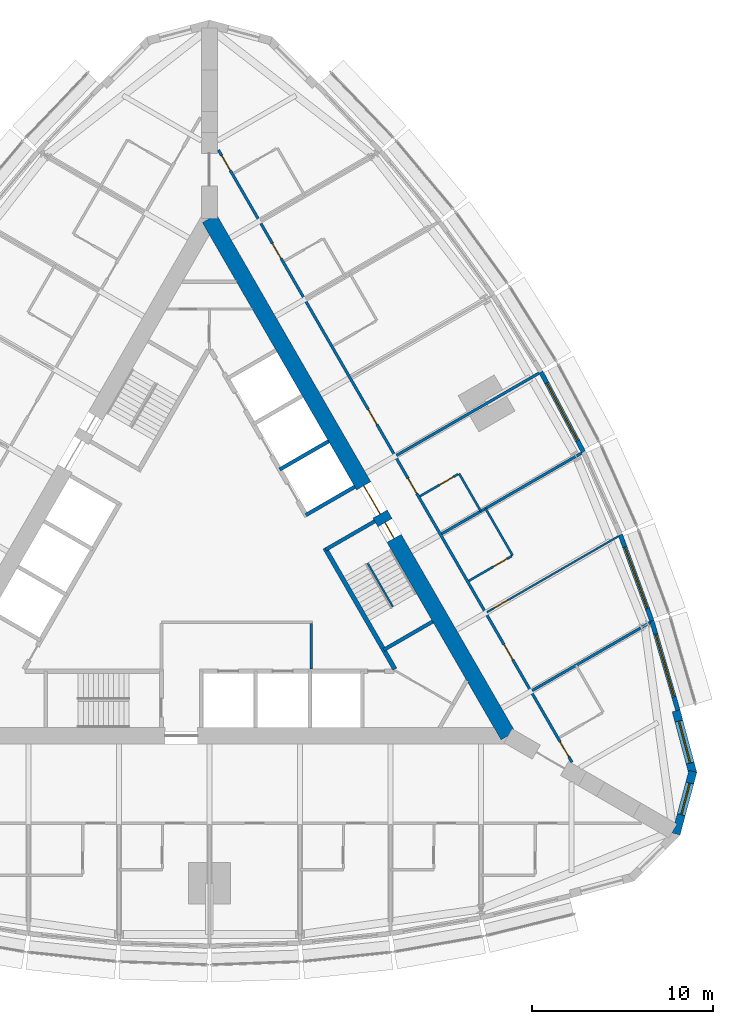
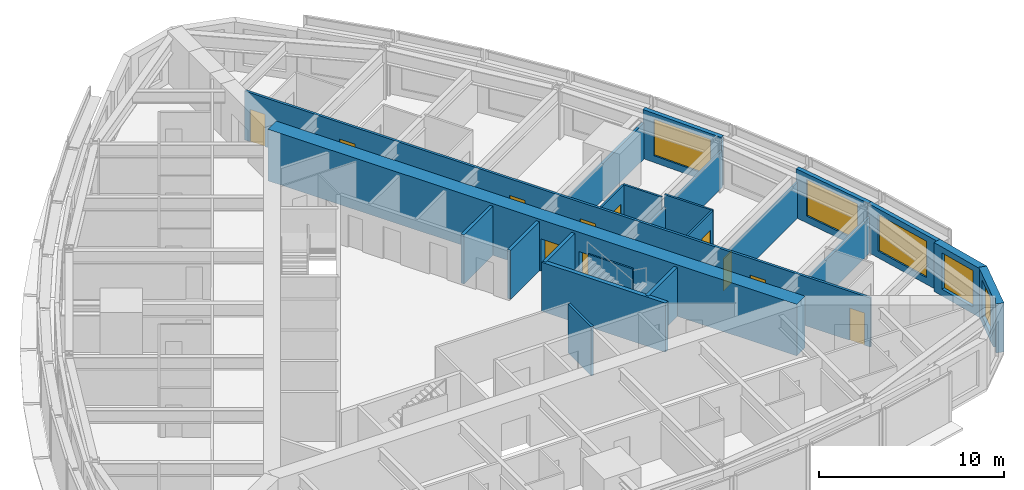
# One storey, part 11 of 14: 22 walls, 11 doors, 5 windows, 16 openings.
"""IFC4 building model written with IfcOpenShell, lengths in metres."""

from ifc_helpers import new_model, si_unit, direction, frame, frame_2d, origin, place, context, subcontext, project, spatial, polyline, rectangle, outline, extrude, material, layer, layer_set, type_object, element, fill, save


model = new_model("IFC4")

# Units and contexts
model_context = context("Model", 3, precision=1e-05, world=origin(), true_north=direction((0.0, 1.0)))
body_context = subcontext(model_context, "Body", "Model", "MODEL_VIEW")
ifc_project = project(units=[si_unit("LENGTHUNIT", "METRE"), si_unit("AREAUNIT", "SQUARE_METRE"), si_unit("VOLUMEUNIT", "CUBIC_METRE"), si_unit("PLANEANGLEUNIT", "RADIAN"), si_unit("MASSUNIT", "GRAM", prefix="KILO")], contexts=[model_context])

# Site, building, storey
site_placement = place(None, origin())
site = spatial("IfcSite", under=ifc_project, at=site_placement, CompositionType="ELEMENT")
building_placement = place(site_placement, origin())
building = spatial("IfcBuilding", under=site, at=building_placement, Name="Trikona Tower", CompositionType="ELEMENT")
storey_placement = place(building_placement, frame((0.0, 0.0, 152.10009765625)))
storey = spatial("IfcBuildingStorey", under=building, at=storey_placement, Name="L40", CompositionType="ELEMENT", Elevation=152.10009765625)

# Wall
ifc_material_1 = material(Name="Metal stud and cement board", Category="gypsum")
ifc_layer_1 = layer(ifc_material_1, 0.1201171875)
ifc_layer_set_1 = layer_set([ifc_layer_1], Name="Bathroom wall 120")
wall_type_1 = type_object("IfcWallType", Name="Bathroom wall 120", PredefinedType="PLUMBINGWALL", material=ifc_layer_set_1)
wall_1_placement = place(storey_placement, frame((16.75341796875, 0.434814453125, 0.0), z_axis=(0.0, 0.0, 1.0), x_axis=(-0.499990139034, 0.866031096941, 0.0)))
element("IfcWall", 1, at=wall_1_placement, inside=storey, type_object=wall_type_1, Name="Bathroom wall 4008.1", PredefinedType="PLUMBINGWALL", context=body_context, shape_type="SweptSolid", body=[
    extrude(rectangle(XDim=3.0, YDim=0.1201171875, at=frame_2d((1.5, 0.0))), origin(), (0.0, 0.0, 1.0), 3.23486328125),
])

# Wall, opening, door
wall_2_placement = place(storey_placement, frame((14.32861328125, -0.965087890625, 0.0), z_axis=(0.0, 0.0, 1.0), x_axis=(0.866035715982, 0.499982138324, 0.0)))
wall_2 = element("IfcWall", 2, at=wall_2_placement, inside=storey, type_object=wall_type_1, Name="Bathroom wall 4008.1", PredefinedType="PLUMBINGWALL", context=body_context, shape_type="SweptSolid", body=[
    extrude(rectangle(XDim=2.73974609375, YDim=0.1201171875, at=frame_2d((1.369873046875, 0.0))), origin(), (0.0, 0.0, 1.0), 3.23486328125),
])
opening_1_placement = place(wall_2_placement, frame((1.550048828125, 0.0, 0.0)))
opening_1 = element("IfcOpeningElement", 3, at=opening_1_placement, cuts=wall_2, Name="Opening D2", PredefinedType="OPENING", context=body_context, shape_type="SweptSolid", body=[
    extrude(rectangle(XDim=0.89990234375, YDim=2.1298828125, at=frame_2d((0.449951171875, 1.06494140625))), frame((0.0, 0.070068359375, 0.0), z_axis=(0.0, -1.0, 0.0), x_axis=(1.0, 0.0, 0.0)), (0.0, 0.0, 1.0), 0.14013671875),
])
ifc_material_2 = material(Name="Steel door frame with solid-core timber leaf", Category="steel")
door_type_1 = type_object("IfcDoorType", Name="Bathroom door 900x2130", OperationType="SLIDING_TO_LEFT", PredefinedType="DOOR", material=ifc_material_2)
door_1_placement = place(opening_1_placement, origin())
door_1 = element("IfcDoor", 4, at=door_1_placement, inside=storey, type_object=door_type_1, Name="Bathroom door 4008.1", OperationType="SLIDING_TO_LEFT", OverallHeight=2.1298828125, OverallWidth=0.89990234375, PredefinedType="DOOR", context=body_context, shape_type="SweptSolid", body=[
    extrude(rectangle(XDim=0.89990234375, YDim=2.1298828125, at=frame_2d((0.449951171875, 1.06494140625))), frame((0.0, 0.02490234375, 0.0), z_axis=(0.0, -1.0, 0.0), x_axis=(1.0, 0.0, 0.0)), (0.0, 0.0, 1.0), 0.050048828125),
])
fill(opening_1, door_1)

# Wall
wall_3_placement = place(storey_placement, frame((14.993408203125, 2.883056640625, 0.0), z_axis=(0.0, 0.0, 1.0), x_axis=(-0.500001309137, 0.866024647952, 0.0)))
element("IfcWall", 5, at=wall_3_placement, inside=storey, type_object=wall_type_1, Name="Bathroom wall 4009", PredefinedType="PLUMBINGWALL", context=body_context, shape_type="SweptSolid", body=[
    extrude(rectangle(XDim=2.39990234375, YDim=0.1201171875, at=frame_2d((1.199951171875, 0.0))), origin(), (0.0, 0.0, 1.0), 3.23486328125),
])

# Wall, opening, door
wall_4_placement = place(storey_placement, frame((11.62841796875, 3.71142578125, 0.0), z_axis=(0.0, 0.0, 1.0), x_axis=(0.866048967903, 0.499959183527, 0.0)))
wall_4 = element("IfcWall", 6, at=wall_4_placement, inside=storey, type_object=wall_type_1, Name="Bathroom wall 4009", PredefinedType="PLUMBINGWALL", context=body_context, shape_type="SweptSolid", body=[
    extrude(rectangle(XDim=2.440185546875, YDim=0.1201171875, at=frame_2d((1.22021484375, 0.0))), origin(), (0.0, 0.0, 1.0), 3.23486328125),
])
opening_2_placement = place(wall_4_placement, frame((1.25, 0.0, 0.0)))
opening_2 = element("IfcOpeningElement", 7, at=opening_2_placement, cuts=wall_4, Name="Opening D2", PredefinedType="OPENING", context=body_context, shape_type="SweptSolid", body=[
    extrude(rectangle(XDim=0.89990234375, YDim=2.1298828125, at=frame_2d((0.449951171875, 1.06494140625))), frame((0.0, 0.070068359375, 0.0), z_axis=(0.0, -1.0, 0.0), x_axis=(1.0, 0.0, 0.0)), (0.0, 0.0, 1.0), 0.14013671875),
])
door_2_placement = place(opening_2_placement, origin())
door_2 = element("IfcDoor", 8, at=door_2_placement, inside=storey, type_object=door_type_1, Name="Bathroom door 4009", OperationType="SLIDING_TO_LEFT", OverallHeight=2.1298828125, OverallWidth=0.89990234375, PredefinedType="DOOR", context=body_context, shape_type="SweptSolid", body=[
    extrude(rectangle(XDim=0.89990234375, YDim=2.1298828125, at=frame_2d((0.449951171875, 1.06494140625))), frame((0.0, 0.02490234375, 0.0), z_axis=(0.0, -1.0, 0.0), x_axis=(1.0, 0.0, 0.0)), (0.0, 0.0, 1.0), 0.050048828125),
])
fill(opening_2, door_2)

# Wall, opening, window
ifc_material_3 = material(Name="Brick-faced precast concrete", Category="masonry")
ifc_layer_2 = layer(ifc_material_3, 0.449951171875)
ifc_layer_set_2 = layer_set([ifc_layer_2], Name="Brick-faced corner wall 450")
wall_type_2 = type_object("IfcWallType", Name="Brick-faced corner wall 450", PredefinedType="SOLIDWALL", material=ifc_layer_set_2)
wall_5_placement = place(storey_placement, frame((25.78271484375, -14.952880859375, 0.0), z_axis=(0.0, 0.0, 1.0), x_axis=(0.258823421857, 0.965924653531, 0.0)))
wall_5 = element("IfcWall", 9, at=wall_5_placement, inside=storey, type_object=wall_type_2, Name="External wall L40-10", PredefinedType="SOLIDWALL", context=body_context, shape_type="SweptSolid", body=[
    extrude(outline(polyline([(3.58642578125, 0.22509765625), (0.58642578125, 0.22509765625), (0.551025390625, 0.09326171875), (0.0595703125, 0.22509765625), (0.0, 0.22509765625), (0.0, -0.22509765625), (3.58642578125, -0.22509765625), (3.58642578125, 0.22509765625)])), origin(), (0.0, 0.0, 1.0), 3.23486328125),
])
opening_3_placement = place(wall_5_placement, frame((1.111328125, 0.0, 0.449951171875)))
opening_3 = element("IfcOpeningElement", 10, at=opening_3_placement, cuts=wall_5, Name="Opening W1824", PredefinedType="OPENING", context=body_context, shape_type="SweptSolid", body=[
    extrude(rectangle(XDim=1.800048828125, YDim=2.39990234375, at=frame_2d((0.89990234375, 1.199951171875))), frame((0.0, 0.23486328125, 0.0), z_axis=(0.0, -1.0, 0.0), x_axis=(1.0, 0.0, 0.0)), (0.0, 0.0, 1.0), 0.469970703125),
])
ifc_material_4 = material(Name="Aluminium-framed double glazing", Category="aluminium")
window_type_1 = type_object("IfcWindowType", Name="Window 1800x2400", PartitioningType="SINGLE_PANEL", PredefinedType="WINDOW", material=ifc_material_4)
window_1_placement = place(opening_3_placement, origin())
window_1 = element("IfcWindow", 11, at=window_1_placement, inside=storey, type_object=window_type_1, Name="Window 4007", OverallHeight=2.39990234375, OverallWidth=1.800048828125, PartitioningType="SINGLE_PANEL", PredefinedType="WINDOW", context=body_context, shape_type="SweptSolid", body=[
    extrude(rectangle(XDim=1.800048828125, YDim=2.39990234375, at=frame_2d((0.89990234375, 1.199951171875))), frame((0.0, 0.030029296875, 0.0), z_axis=(0.0, -1.0, 0.0), x_axis=(1.0, 0.0, 0.0)), (0.0, 0.0, 1.0), 0.06005859375),
])
fill(opening_3, window_1)

wall_6_placement = place(storey_placement, frame((26.7109375, -11.605224609375, 0.0), z_axis=(0.0, 0.0, 1.0), x_axis=(-0.258823421857, 0.965924653531, 0.0)))
wall_6 = element("IfcWall", 12, at=wall_6_placement, inside=storey, type_object=wall_type_2, Name="External wall L40-11", PredefinedType="SOLIDWALL", context=body_context, shape_type="SweptSolid", body=[
    extrude(rectangle(XDim=3.58642578125, YDim=0.449951171875, at=frame_2d((1.793212890625, 0.0))), origin(), (0.0, 0.0, 1.0), 3.23486328125),
])
opening_4_placement = place(wall_6_placement, frame((0.593017578125, 0.0, 0.449951171875)))
opening_4 = element("IfcOpeningElement", 13, at=opening_4_placement, cuts=wall_6, Name="Opening W2424", PredefinedType="OPENING", context=body_context, shape_type="SweptSolid", body=[
    extrude(rectangle(XDim=2.39990234375, YDim=2.39990234375, at=frame_2d((1.199951171875, 1.199951171875))), frame((0.0, 0.23486328125, 0.0), z_axis=(0.0, -1.0, 0.0), x_axis=(1.0, 0.0, 0.0)), (0.0, 0.0, 1.0), 0.469970703125),
])
ifc_material_5 = material(Name="Aluminium-framed double glazing", Category="aluminium")
window_type_2 = type_object("IfcWindowType", Name="Window 2400x2400", PartitioningType="SINGLE_PANEL", PredefinedType="WINDOW", material=ifc_material_5)
window_2_placement = place(opening_4_placement, origin())
window_2 = element("IfcWindow", 14, at=window_2_placement, inside=storey, type_object=window_type_2, Name="Window 4007", OverallHeight=2.39990234375, OverallWidth=2.39990234375, PartitioningType="SINGLE_PANEL", PredefinedType="WINDOW", context=body_context, shape_type="SweptSolid", body=[
    extrude(rectangle(XDim=2.39990234375, YDim=2.39990234375, at=frame_2d((1.199951171875, 1.199951171875))), frame((0.0, 0.030029296875, 0.0), z_axis=(0.0, -1.0, 0.0), x_axis=(1.0, 0.0, 0.0)), (0.0, 0.0, 1.0), 0.06005859375),
])
fill(opening_4, window_2)

# Wall, openings, doors
ifc_material_6 = material(Name="Concrete f'c 10000 psi", Category="concrete")
ifc_layer_3 = layer(ifc_material_6, 0.89990234375)
ifc_layer_set_3 = layer_set([ifc_layer_3], Name="Core wall 900")
wall_type_3 = type_object("IfcWallType", Name="Core wall 900", PredefinedType="SHEAR", material=ifc_layer_set_3)
wall_7_placement = place(storey_placement, frame((16.5, -9.5263671875, 0.0), z_axis=(0.0, 0.0, 1.0), x_axis=(-0.499999749417, 0.866025548458, 0.0)))
wall_7 = element("IfcWall", 15, at=wall_7_placement, inside=storey, type_object=wall_type_3, Name="Core wall B", PredefinedType="SHEAR", context=body_context, shape_type="SweptSolid", body=[
    extrude(rectangle(XDim=33.0, YDim=0.89990234375, at=frame_2d((16.5, 0.0))), origin(), (0.0, 0.0, 1.0), 3.39990234375),
])
opening_5_placement = place(wall_7_placement, frame((14.14990234375, 0.0, 0.0)))
opening_5 = element("IfcOpeningElement", 16, at=opening_5_placement, cuts=wall_7, Name="Opening D6", PredefinedType="OPENING", context=body_context, shape_type="SweptSolid", body=[
    extrude(rectangle(XDim=1.800048828125, YDim=2.1298828125, at=frame_2d((0.89990234375, 1.06494140625))), frame((0.0, 0.4599609375, 0.0), z_axis=(0.0, -1.0, 0.0), x_axis=(1.0, 0.0, 0.0)), (0.0, 0.0, 1.0), 0.919921875),
])
opening_6_placement = place(wall_7_placement, frame((12.60009765625, 0.0, 0.0)))
opening_6 = element("IfcOpeningElement", 17, at=opening_6_placement, cuts=wall_7, Name="Opening D5", PredefinedType="OPENING", context=body_context, shape_type="SweptSolid", body=[
    extrude(rectangle(XDim=1.0, YDim=2.1298828125, at=frame_2d((0.5, 1.06494140625))), frame((0.0, 0.4599609375, 0.0), z_axis=(0.0, -1.0, 0.0), x_axis=(1.0, 0.0, 0.0)), (0.0, 0.0, 1.0), 0.919921875),
])
ifc_material_7 = material(Name="Hollow metal door and frame", Category="steel")
door_type_2 = type_object("IfcDoorType", Name="Lobby door pair 1800x2130", OperationType="DOUBLE_DOOR_SINGLE_SWING", PredefinedType="DOOR", material=ifc_material_7)
door_3_placement = place(opening_5_placement, origin())
door_3 = element("IfcDoor", 18, at=door_3_placement, inside=storey, type_object=door_type_2, Name="Lift lobby door B", OperationType="DOUBLE_DOOR_SINGLE_SWING", OverallHeight=2.1298828125, OverallWidth=1.800048828125, PredefinedType="DOOR", context=body_context, shape_type="SweptSolid", body=[
    extrude(rectangle(XDim=1.800048828125, YDim=2.1298828125, at=frame_2d((0.89990234375, 1.06494140625))), frame((0.0, 0.02490234375, 0.0), z_axis=(0.0, -1.0, 0.0), x_axis=(1.0, 0.0, 0.0)), (0.0, 0.0, 1.0), 0.050048828125),
])
fill(opening_5, door_3)
ifc_material_8 = material(Name="Hollow metal door and frame", Category="steel")
door_type_3 = type_object("IfcDoorType", Name="Stair door 1000x2130", OperationType="SINGLE_SWING_LEFT", PredefinedType="DOOR", material=ifc_material_8)
door_4_placement = place(opening_6_placement, origin())
door_4 = element("IfcDoor", 19, at=door_4_placement, inside=storey, type_object=door_type_3, Name="Stair B door", OperationType="SINGLE_SWING_RIGHT", OverallHeight=2.1298828125, OverallWidth=1.0, PredefinedType="DOOR", context=body_context, shape_type="SweptSolid", body=[
    extrude(rectangle(XDim=1.0, YDim=2.1298828125, at=frame_2d((0.5, 1.06494140625))), frame((0.0, 0.02490234375, 0.0), z_axis=(0.0, -1.0, 0.0), x_axis=(1.0, 0.0, 0.0)), (0.0, 0.0, 1.0), 0.050048828125),
])
fill(opening_6, door_4)

ifc_material_9 = material(Name="Metal stud and gypsum board, 1-hour", Category="gypsum")
ifc_layer_4 = layer(ifc_material_9, 0.14990234375)
ifc_layer_set_4 = layer_set([ifc_layer_4], Name="Corridor wall 150")
wall_type_4 = type_object("IfcWallType", Name="Corridor wall 150", PredefinedType="PARTITIONING", material=ifc_layer_set_4)
wall_8_placement = place(storey_placement, frame((20.027099609375, -10.9853515625, 0.0), z_axis=(0.0, 0.0, 1.0), x_axis=(-0.500001677587, 0.866024435227, 0.0)))
wall_8 = element("IfcWall", 20, at=wall_8_placement, inside=storey, type_object=wall_type_4, Name="Corridor wall L40-2", PredefinedType="PARTITIONING", context=body_context, shape_type="SweptSolid", body=[
    extrude(rectangle(XDim=39.053955078125, YDim=0.14990234375, at=frame_2d((19.52685546875, 0.0))), origin(), (0.0, 0.0, 1.0), 3.23486328125),
])
opening_7_placement = place(wall_8_placement, frame((0.35205078125, 0.0, 0.0)))
opening_7 = element("IfcOpeningElement", 21, at=opening_7_placement, cuts=wall_8, Name="Opening D1", PredefinedType="OPENING", context=body_context, shape_type="SweptSolid", body=[
    extrude(rectangle(XDim=0.949951171875, YDim=2.1298828125, at=frame_2d((0.47509765625, 1.06494140625))), frame((0.0, 0.0849609375, 0.0), z_axis=(0.0, -1.0, 0.0), x_axis=(1.0, 0.0, 0.0)), (0.0, 0.0, 1.0), 0.169921875),
])
opening_8_placement = place(wall_8_placement, frame((6.552001953125, 0.0, 0.0)))
opening_8 = element("IfcOpeningElement", 22, at=opening_8_placement, cuts=wall_8, Name="Opening D1", PredefinedType="OPENING", context=body_context, shape_type="SweptSolid", body=[
    extrude(rectangle(XDim=0.949951171875, YDim=2.1298828125, at=frame_2d((0.47509765625, 1.06494140625))), frame((0.0, 0.0849609375, 0.0), z_axis=(0.0, -1.0, 0.0), x_axis=(1.0, 0.0, 0.0)), (0.0, 0.0, 1.0), 0.169921875),
])
opening_9_placement = place(wall_8_placement, frame((17.152099609375, 0.0, 0.0)))
opening_9 = element("IfcOpeningElement", 23, at=opening_9_placement, cuts=wall_8, Name="Opening D1", PredefinedType="OPENING", context=body_context, shape_type="SweptSolid", body=[
    extrude(rectangle(XDim=0.949951171875, YDim=2.1298828125, at=frame_2d((0.47509765625, 1.06494140625))), frame((0.0, 0.0849609375, 0.0), z_axis=(0.0, -1.0, 0.0), x_axis=(1.0, 0.0, 0.0)), (0.0, 0.0, 1.0), 0.169921875),
])
opening_10_placement = place(wall_8_placement, frame((21.552001953125, 0.0, 0.0)))
opening_10 = element("IfcOpeningElement", 24, at=opening_10_placement, cuts=wall_8, Name="Opening D1", PredefinedType="OPENING", context=body_context, shape_type="SweptSolid", body=[
    extrude(rectangle(XDim=0.949951171875, YDim=2.1298828125, at=frame_2d((0.47509765625, 1.06494140625))), frame((0.0, 0.0849609375, 0.0), z_axis=(0.0, -1.0, 0.0), x_axis=(1.0, 0.0, 0.0)), (0.0, 0.0, 1.0), 0.169921875),
])
opening_11_placement = place(wall_8_placement, frame((32.152099609375, 0.0, 0.0)))
opening_11 = element("IfcOpeningElement", 25, at=opening_11_placement, cuts=wall_8, Name="Opening D1", PredefinedType="OPENING", context=body_context, shape_type="SweptSolid", body=[
    extrude(rectangle(XDim=0.949951171875, YDim=2.1298828125, at=frame_2d((0.47509765625, 1.06494140625))), frame((0.0, 0.0849609375, 0.0), z_axis=(0.0, -1.0, 0.0), x_axis=(1.0, 0.0, 0.0)), (0.0, 0.0, 1.0), 0.169921875),
])
opening_12_placement = place(wall_8_placement, frame((37.751953125, 0.0, 0.0)))
opening_12 = element("IfcOpeningElement", 26, at=opening_12_placement, cuts=wall_8, Name="Opening D1", PredefinedType="OPENING", context=body_context, shape_type="SweptSolid", body=[
    extrude(rectangle(XDim=0.949951171875, YDim=2.1298828125, at=frame_2d((0.47509765625, 1.06494140625))), frame((0.0, 0.0849609375, 0.0), z_axis=(0.0, -1.0, 0.0), x_axis=(1.0, 0.0, 0.0)), (0.0, 0.0, 1.0), 0.169921875),
])
ifc_material_10 = material(Name="Steel door frame with solid-core timber leaf", Category="steel")
door_type_4 = type_object("IfcDoorType", Name="Guest room door 950x2130", OperationType="SINGLE_SWING_LEFT", PredefinedType="DOOR", material=ifc_material_10)
door_5_placement = place(opening_7_placement, origin())
door_5 = element("IfcDoor", 27, at=door_5_placement, inside=storey, type_object=door_type_4, Name="Room door 4007", OperationType="SINGLE_SWING_LEFT", OverallHeight=2.1298828125, OverallWidth=0.949951171875, PredefinedType="DOOR", context=body_context, shape_type="SweptSolid", body=[
    extrude(rectangle(XDim=0.949951171875, YDim=2.1298828125, at=frame_2d((0.47509765625, 1.06494140625))), frame((0.0, 0.02490234375, 0.0), z_axis=(0.0, -1.0, 0.0), x_axis=(1.0, 0.0, 0.0)), (0.0, 0.0, 1.0), 0.050048828125),
])
fill(opening_7, door_5)
door_6_placement = place(opening_8_placement, origin())
door_6 = element("IfcDoor", 28, at=door_6_placement, inside=storey, type_object=door_type_4, Name="Room door 4008", OperationType="SINGLE_SWING_RIGHT", OverallHeight=2.1298828125, OverallWidth=0.949951171875, PredefinedType="DOOR", context=body_context, shape_type="SweptSolid", body=[
    extrude(rectangle(XDim=0.949951171875, YDim=2.1298828125, at=frame_2d((0.47509765625, 1.06494140625))), frame((0.0, 0.02490234375, 0.0), z_axis=(0.0, -1.0, 0.0), x_axis=(1.0, 0.0, 0.0)), (0.0, 0.0, 1.0), 0.050048828125),
])
fill(opening_8, door_6)
door_7_placement = place(opening_9_placement, origin())
door_7 = element("IfcDoor", 29, at=door_7_placement, inside=storey, type_object=door_type_4, Name="Room door 4009", OperationType="SINGLE_SWING_LEFT", OverallHeight=2.1298828125, OverallWidth=0.949951171875, PredefinedType="DOOR", context=body_context, shape_type="SweptSolid", body=[
    extrude(rectangle(XDim=0.949951171875, YDim=2.1298828125, at=frame_2d((0.47509765625, 1.06494140625))), frame((0.0, 0.02490234375, 0.0), z_axis=(0.0, -1.0, 0.0), x_axis=(1.0, 0.0, 0.0)), (0.0, 0.0, 1.0), 0.050048828125),
])
fill(opening_9, door_7)
door_8_placement = place(opening_10_placement, origin())
door_8 = element("IfcDoor", 30, at=door_8_placement, inside=storey, type_object=door_type_4, Name="Room door 4010", OperationType="SINGLE_SWING_RIGHT", OverallHeight=2.1298828125, OverallWidth=0.949951171875, PredefinedType="DOOR", context=body_context, shape_type="SweptSolid", body=[
    extrude(rectangle(XDim=0.949951171875, YDim=2.1298828125, at=frame_2d((0.47509765625, 1.06494140625))), frame((0.0, 0.02490234375, 0.0), z_axis=(0.0, -1.0, 0.0), x_axis=(1.0, 0.0, 0.0)), (0.0, 0.0, 1.0), 0.050048828125),
])
fill(opening_10, door_8)
door_9_placement = place(opening_11_placement, origin())
door_9 = element("IfcDoor", 31, at=door_9_placement, inside=storey, type_object=door_type_4, Name="Room door 4011", OperationType="SINGLE_SWING_LEFT", OverallHeight=2.1298828125, OverallWidth=0.949951171875, PredefinedType="DOOR", context=body_context, shape_type="SweptSolid", body=[
    extrude(rectangle(XDim=0.949951171875, YDim=2.1298828125, at=frame_2d((0.47509765625, 1.06494140625))), frame((0.0, 0.02490234375, 0.0), z_axis=(0.0, -1.0, 0.0), x_axis=(1.0, 0.0, 0.0)), (0.0, 0.0, 1.0), 0.050048828125),
])
fill(opening_11, door_9)
door_10_placement = place(opening_12_placement, origin())
door_10 = element("IfcDoor", 32, at=door_10_placement, inside=storey, type_object=door_type_4, Name="Room door 4012", OperationType="SINGLE_SWING_RIGHT", OverallHeight=2.1298828125, OverallWidth=0.949951171875, PredefinedType="DOOR", context=body_context, shape_type="SweptSolid", body=[
    extrude(rectangle(XDim=0.949951171875, YDim=2.1298828125, at=frame_2d((0.47509765625, 1.06494140625))), frame((0.0, 0.02490234375, 0.0), z_axis=(0.0, -1.0, 0.0), x_axis=(1.0, 0.0, 0.0)), (0.0, 0.0, 1.0), 0.050048828125),
])
fill(opening_12, door_10)

# Wall
ifc_material_11 = material(Name="Concrete f'c 8000 psi", Category="concrete")
ifc_layer_5 = layer(ifc_material_11, 0.25)
ifc_layer_set_5 = layer_set([ifc_layer_5], Name="Hub wall 250")
wall_type_5 = type_object("IfcWallType", Name="Hub wall 250", PredefinedType="SOLIDWALL", material=ifc_layer_set_5)
wall_9_placement = place(storey_placement, frame((10.245361328125, -5.843017578125, 0.0), z_axis=(0.0, 0.0, 1.0), x_axis=(-0.499993009313, 0.866029439822, 0.0)))
element("IfcWall", 33, at=wall_9_placement, inside=storey, type_object=wall_type_5, Name="Lift lobby wall B1", PredefinedType="SOLIDWALL", context=body_context, shape_type="SweptSolid", body=[
    extrude(rectangle(XDim=7.73291015625, YDim=0.25, at=frame_2d((3.866455078125, 0.0))), origin(), (0.0, 0.0, 1.0), 3.23486328125),
])

# Wall, opening, window
ifc_material_12 = material(Name="Insulated precast concrete spandrel panel", Category="concrete")
ifc_layer_6 = layer(ifc_material_12, 0.25)
ifc_layer_set_6 = layer_set([ifc_layer_6], Name="Inner skin wall 250")
wall_type_6 = type_object("IfcWallType", Name="Inner skin wall 250", PredefinedType="STANDARD", material=ifc_layer_set_6)
wall_10_placement = place(storey_placement, frame((25.8798828125, -8.117919921875, 0.0), z_axis=(0.0, 0.0, 1.0), x_axis=(-0.279528287117, 0.960137457191, 0.0)))
wall_10 = element("IfcWall", 34, at=wall_10_placement, inside=storey, type_object=wall_type_6, Name="External wall L40-12", PredefinedType="STANDARD", context=body_context, shape_type="SweptSolid", body=[
    extrude(rectangle(XDim=5.14794921875, YDim=0.25, at=frame_2d((2.573974609375, 0.0))), origin(), (0.0, 0.0, 1.0), 3.23486328125),
])
opening_13_placement = place(wall_10_placement, frame((0.77392578125, 0.0, 0.449951171875)))
opening_13 = element("IfcOpeningElement", 35, at=opening_13_placement, cuts=wall_10, Name="Opening W3624", PredefinedType="OPENING", context=body_context, shape_type="SweptSolid", body=[
    extrude(rectangle(XDim=3.60009765625, YDim=2.39990234375, at=frame_2d((1.800048828125, 1.199951171875))), frame((0.0, 0.135009765625, 0.0), z_axis=(0.0, -1.0, 0.0), x_axis=(1.0, 0.0, 0.0)), (0.0, 0.0, 1.0), 0.27001953125),
])
ifc_material_13 = material(Name="Aluminium-framed double glazing", Category="aluminium")
window_type_3 = type_object("IfcWindowType", Name="Window 3600x2400", PartitioningType="SINGLE_PANEL", PredefinedType="WINDOW", material=ifc_material_13)
window_3_placement = place(opening_13_placement, origin())
window_3 = element("IfcWindow", 36, at=window_3_placement, inside=storey, type_object=window_type_3, Name="Window 4007", OverallHeight=2.39990234375, OverallWidth=3.60009765625, PartitioningType="SINGLE_PANEL", PredefinedType="WINDOW", context=body_context, shape_type="SweptSolid", body=[
    extrude(rectangle(XDim=3.60009765625, YDim=2.39990234375, at=frame_2d((1.800048828125, 1.199951171875))), frame((0.0, 0.030029296875, 0.0), z_axis=(0.0, -1.0, 0.0), x_axis=(1.0, 0.0, 0.0)), (0.0, 0.0, 1.0), 0.06005859375),
])
fill(opening_13, window_3)

wall_11_placement = place(storey_placement, frame((24.443603515625, -3.18310546875, 0.0), z_axis=(0.0, 0.0, 1.0), x_axis=(-0.343225593282, 0.939252996863, 0.0)))
wall_11 = element("IfcWall", 37, at=wall_11_placement, inside=storey, type_object=wall_type_6, Name="External wall L40-13", PredefinedType="STANDARD", context=body_context, shape_type="SweptSolid", body=[
    extrude(rectangle(XDim=5.075927734375, YDim=0.25, at=frame_2d((2.5380859375, 0.0))), origin(), (0.0, 0.0, 1.0), 3.23486328125),
])
opening_14_placement = place(wall_11_placement, frame((0.738037109375, 0.0, 0.449951171875)))
opening_14 = element("IfcOpeningElement", 38, at=opening_14_placement, cuts=wall_11, Name="Opening W3624", PredefinedType="OPENING", context=body_context, shape_type="SweptSolid", body=[
    extrude(rectangle(XDim=3.60009765625, YDim=2.39990234375, at=frame_2d((1.800048828125, 1.199951171875))), frame((0.0, 0.135009765625, 0.0), z_axis=(0.0, -1.0, 0.0), x_axis=(1.0, 0.0, 0.0)), (0.0, 0.0, 1.0), 0.27001953125),
])
window_4_placement = place(opening_14_placement, origin())
window_4 = element("IfcWindow", 39, at=window_4_placement, inside=storey, type_object=window_type_3, Name="Window 4008", OverallHeight=2.39990234375, OverallWidth=3.60009765625, PartitioningType="SINGLE_PANEL", PredefinedType="WINDOW", context=body_context, shape_type="SweptSolid", body=[
    extrude(rectangle(XDim=3.60009765625, YDim=2.39990234375, at=frame_2d((1.800048828125, 1.199951171875))), frame((0.0, 0.030029296875, 0.0), z_axis=(0.0, -1.0, 0.0), x_axis=(1.0, 0.0, 0.0)), (0.0, 0.0, 1.0), 0.06005859375),
])
fill(opening_14, window_4)

wall_12_placement = place(storey_placement, frame((20.662841796875, 6.161376953125, 0.0), z_axis=(0.0, 0.0, 1.0), x_axis=(-0.469404966864, 0.882982999317, 0.0)))
wall_12 = element("IfcWall", 40, at=wall_12_placement, inside=storey, type_object=wall_type_6, Name="External wall L40-15", PredefinedType="STANDARD", context=body_context, shape_type="SweptSolid", body=[
    extrude(rectangle(XDim=5.0029296875, YDim=0.25, at=frame_2d((2.50146484375, 0.0))), origin(), (0.0, 0.0, 1.0), 3.23486328125),
])
opening_15_placement = place(wall_12_placement, frame((0.701416015625, 0.0, 0.449951171875)))
opening_15 = element("IfcOpeningElement", 41, at=opening_15_placement, cuts=wall_12, Name="Opening W3624", PredefinedType="OPENING", context=body_context, shape_type="SweptSolid", body=[
    extrude(rectangle(XDim=3.60009765625, YDim=2.39990234375, at=frame_2d((1.800048828125, 1.199951171875))), frame((0.0, 0.135009765625, 0.0), z_axis=(0.0, -1.0, 0.0), x_axis=(1.0, 0.0, 0.0)), (0.0, 0.0, 1.0), 0.27001953125),
])
window_5_placement = place(opening_15_placement, origin())
window_5 = element("IfcWindow", 42, at=window_5_placement, inside=storey, type_object=window_type_3, Name="Window 4009", OverallHeight=2.39990234375, OverallWidth=3.60009765625, PartitioningType="SINGLE_PANEL", PredefinedType="WINDOW", context=body_context, shape_type="SweptSolid", body=[
    extrude(rectangle(XDim=3.60009765625, YDim=2.39990234375, at=frame_2d((1.800048828125, 1.199951171875))), frame((0.0, 0.030029296875, 0.0), z_axis=(0.0, -1.0, 0.0), x_axis=(1.0, 0.0, 0.0)), (0.0, 0.0, 1.0), 0.06005859375),
])
fill(opening_15, window_5)

# Walls
ifc_material_14 = material(Name="Metal stud and gypsum board, 2-hour shaft wall", Category="gypsum")
ifc_layer_7 = layer(ifc_material_14, 0.14990234375)
ifc_layer_set_7 = layer_set([ifc_layer_7], Name="Lobby wall 150")
wall_type_7 = type_object("IfcWallType", Name="Lobby wall 150", PredefinedType="PARTITIONING", material=ifc_layer_set_7)
wall_13_placement = place(storey_placement, frame((5.625, -5.826416015625, 0.0), z_axis=(0.0, 0.0, 1.0), x_axis=(0.0, 1.0, 0.0)))
element("IfcWall", 43, at=wall_13_placement, inside=storey, type_object=wall_type_7, Name="Fire service lift lobby wall 3", PredefinedType="PARTITIONING", context=body_context, shape_type="SweptSolid", body=[
    extrude(rectangle(XDim=2.5, YDim=0.14990234375, at=frame_2d((1.25, 0.0))), origin(), (0.0, 0.0, 1.0), 3.23486328125),
])
ifc_material_15 = material(Name="Metal stud and gypsum board, 1-hour acoustic", Category="gypsum")
ifc_layer_8 = layer(ifc_material_15, 0.14990234375)
ifc_layer_set_8 = layer_set([ifc_layer_8], Name="Party wall 150")
wall_type_8 = type_object("IfcWallType", Name="Party wall 150", PredefinedType="PARTITIONING", material=ifc_layer_set_8)
wall_14_placement = place(storey_placement, frame((17.82861328125, -7.027099609375, 0.0), z_axis=(0.0, 0.0, 1.0), x_axis=(0.866029804378, 0.499992377871, 0.0)))
element("IfcWall", 44, at=wall_14_placement, inside=storey, type_object=wall_type_8, Name="Partition L40 F2 u-15", PredefinedType="PARTITIONING", context=body_context, shape_type="SweptSolid", body=[
    extrude(rectangle(XDim=7.51611328125, YDim=0.14990234375, at=frame_2d((3.758056640625, 0.0))), origin(), (0.0, 0.0, 1.0), 2.38916015625),
])
wall_15_placement = place(storey_placement, frame((12.82861328125, 1.633056640625, 0.0), z_axis=(0.0, 0.0, 1.0), x_axis=(0.866027015393, 0.499997208602, 0.0)))
element("IfcWall", 45, at=wall_15_placement, inside=storey, type_object=wall_type_8, Name="Partition L40 F2 u-5", PredefinedType="PARTITIONING", context=body_context, shape_type="SweptSolid", body=[
    extrude(rectangle(XDim=8.92236328125, YDim=0.14990234375, at=frame_2d((4.461181640625, 0.0))), origin(), (0.0, 0.0, 1.0), 2.38916015625),
])
wall_16_placement = place(storey_placement, frame((10.32861328125, 5.963134765625, 0.0), z_axis=(0.0, 0.0, 1.0), x_axis=(0.866025170687, 0.500000403736, 0.0)))
element("IfcWall", 46, at=wall_16_placement, inside=storey, type_object=wall_type_8, Name="Partition L40 F2 u-4.44089e-15", PredefinedType="PARTITIONING", context=body_context, shape_type="SweptSolid", body=[
    extrude(rectangle(XDim=9.0986328125, YDim=0.14990234375, at=frame_2d((4.54931640625, 0.0))), origin(), (0.0, 0.0, 1.0), 2.38916015625),
])
ifc_material_16 = material(Name="Concrete f'c 8000 psi", Category="concrete")
ifc_layer_9 = layer(ifc_material_16, 0.199951171875)
ifc_layer_set_9 = layer_set([ifc_layer_9], Name="Shaft wall 200")
wall_type_9 = type_object("IfcWallType", Name="Shaft wall 200", PredefinedType="SOLIDWALL", material=ifc_layer_set_9)
for number, where, z_axis, x_axis, name in (
    (47, (5.3291015625, 2.672607421875, 0.0), (0.0, 0.0, 1.0), (0.866022959057, 0.500004234368, 0.0), "Shaft wall B3"),
    (48, (3.87890625, 5.18408203125, 0.0), (0.0, 0.0, 1.0), (0.866022959057, 0.500004234368, 0.0), "Shaft wall B4"),
):
    element("IfcWall", number, at=place(storey_placement, frame(where, z_axis=z_axis, x_axis=x_axis)), inside=storey, type_object=wall_type_9, Name=name, PredefinedType="SOLIDWALL", context=body_context, shape_type="SweptSolid", body=[
        extrude(rectangle(XDim=3.125, YDim=0.199951171875, at=frame_2d((1.5625, 0.0))), origin(), (0.0, 0.0, 1.0), 3.23486328125),
    ])
ifc_material_17 = material(Name="Concrete f'c 8000 psi", Category="concrete")
ifc_layer_10 = layer(ifc_material_17, 0.199951171875)
ifc_layer_set_10 = layer_set([ifc_layer_10], Name="Shaft wall 200 load-bearing")
wall_type_10 = type_object("IfcWallType", Name="Shaft wall 200 load-bearing", PredefinedType="SOLIDWALL", material=ifc_layer_set_10)
for number, where, z_axis, x_axis, name in (
    (49, (9.62890625, -4.775390625, 0.0), (0.0, 0.0, 1.0), (0.866022959057, 0.500004234368, 0.0), "Shaft wall B1"),
    (50, (6.428955078125, 0.767333984375, 0.0), (0.0, 0.0, 1.0), (0.866022959057, 0.500004234368, 0.0), "Shaft wall B2"),
):
    element("IfcWall", number, at=place(storey_placement, frame(where, z_axis=z_axis, x_axis=x_axis)), inside=storey, type_object=wall_type_10, Name=name, PredefinedType="SOLIDWALL", context=body_context, shape_type="SweptSolid", body=[
        extrude(rectangle(XDim=3.125, YDim=0.199951171875, at=frame_2d((1.5625, 0.0))), origin(), (0.0, 0.0, 1.0), 3.23486328125),
    ])
ifc_material_18 = material(Name="Concrete f'c 5000 psi", Category="concrete")
ifc_layer_11 = layer(ifc_material_18, 0.10009765625)
ifc_layer_set_11 = layer_set([ifc_layer_11], Name="Stair spine wall 100")
wall_type_11 = type_object("IfcWallType", Name="Stair spine wall 100", PredefinedType="SOLIDWALL", material=ifc_layer_set_11)
wall_17_placement = place(storey_placement, frame((10.134765625, -2.4013671875, 0.0), z_axis=(0.0, 0.0, 1.0), x_axis=(-0.499992232847, 0.866029888106, 0.0)))
element("IfcWall", 51, at=wall_17_placement, inside=storey, type_object=wall_type_11, Name="Stair B spine wall L40", PredefinedType="SOLIDWALL", context=body_context, shape_type="SweptSolid", body=[
    extrude(rectangle(XDim=2.7939453125, YDim=0.10009765625, at=frame_2d((1.39697265625, 0.0))), origin(), (0.0, 0.0, 1.0), 3.39990234375),
])

# Wall, opening, door
ifc_material_19 = material(Name="Metal stud and gypsum board, acoustic", Category="gypsum")
ifc_layer_12 = layer(ifc_material_19, 0.10009765625)
ifc_layer_set_12 = layer_set([ifc_layer_12], Name="Suite partition 100")
wall_type_12 = type_object("IfcWallType", Name="Suite partition 100", PredefinedType="PARTITIONING", material=ifc_layer_set_12)
wall_18_placement = place(storey_placement, frame((15.32861328125, -2.697021484375, 0.0), z_axis=(0.0, 0.0, 1.0), x_axis=(0.866024316602, 0.50000188305, 0.0)))
wall_18 = element("IfcWall", 52, at=wall_18_placement, inside=storey, type_object=wall_type_12, Name="Suite partition L40 F2 u-10", PredefinedType="PARTITIONING", context=body_context, shape_type="SweptSolid", body=[
    extrude(rectangle(XDim=8.39501953125, YDim=0.10009765625, at=frame_2d((4.197509765625, 0.0))), origin(), (0.0, 0.0, 1.0), 2.38916015625),
])
opening_16_placement = place(wall_18_placement, frame((0.449951171875, 0.0, 0.0)))
opening_16 = element("IfcOpeningElement", 53, at=opening_16_placement, cuts=wall_18, Name="Opening D13", PredefinedType="OPENING", context=body_context, shape_type="SweptSolid", body=[
    extrude(rectangle(XDim=0.89990234375, YDim=2.1298828125, at=frame_2d((0.449951171875, 1.06494140625))), frame((0.0, 0.06005859375, 0.0), z_axis=(0.0, -1.0, 0.0), x_axis=(1.0, 0.0, 0.0)), (0.0, 0.0, 1.0), 0.1201171875),
])
ifc_material_20 = material(Name="Steel door frame with solid-core timber leaf", Category="steel")
door_type_5 = type_object("IfcDoorType", Name="Suite door 900x2130", OperationType="SINGLE_SWING_LEFT", PredefinedType="DOOR", material=ifc_material_20)
door_11_placement = place(opening_16_placement, origin())
door_11 = element("IfcDoor", 54, at=door_11_placement, inside=storey, type_object=door_type_5, Name="Suite door 4008", OperationType="SINGLE_SWING_LEFT", OverallHeight=2.1298828125, OverallWidth=0.89990234375, PredefinedType="DOOR", context=body_context, shape_type="SweptSolid", body=[
    extrude(rectangle(XDim=0.89990234375, YDim=2.1298828125, at=frame_2d((0.449951171875, 1.06494140625))), frame((0.0, 0.02490234375, 0.0), z_axis=(0.0, -1.0, 0.0), x_axis=(1.0, 0.0, 0.0)), (0.0, 0.0, 1.0), 0.050048828125),
])
fill(opening_16, door_11)

save(model, "model.ifc")
